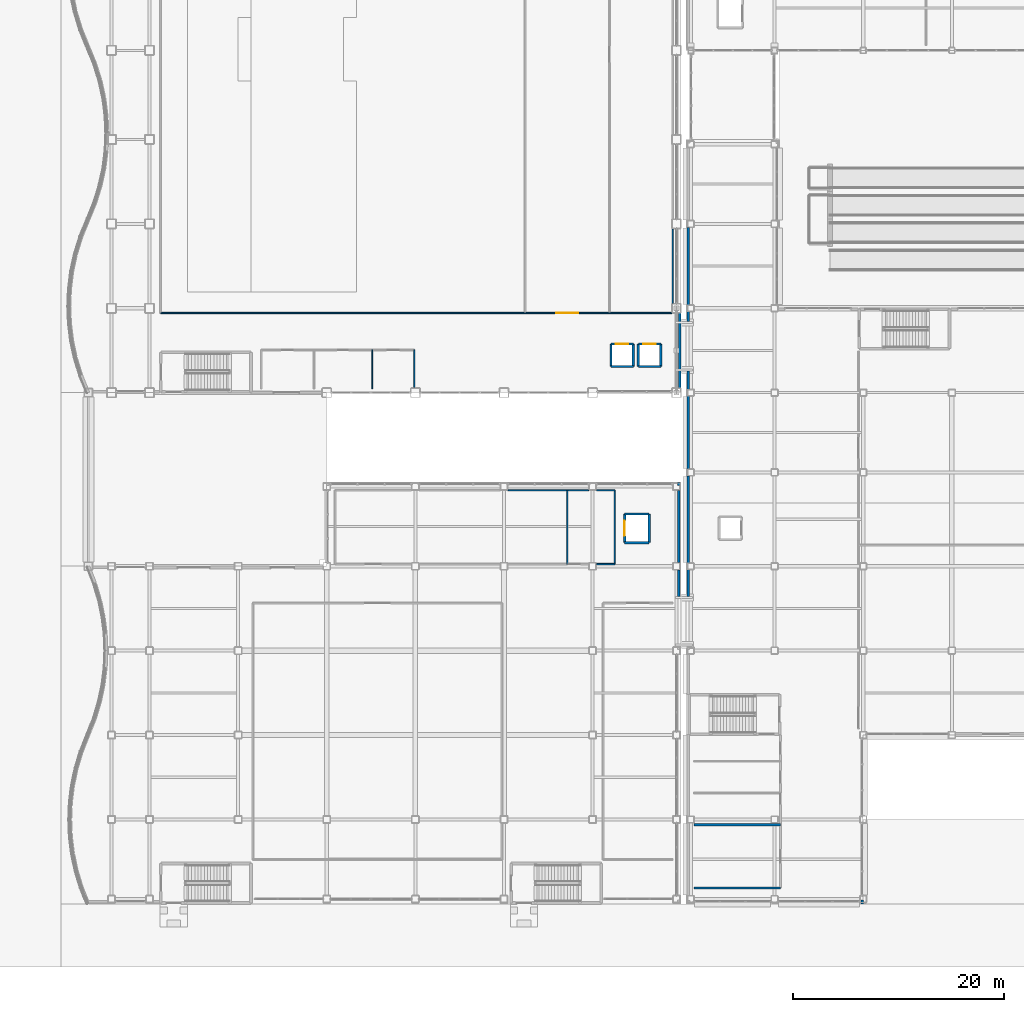
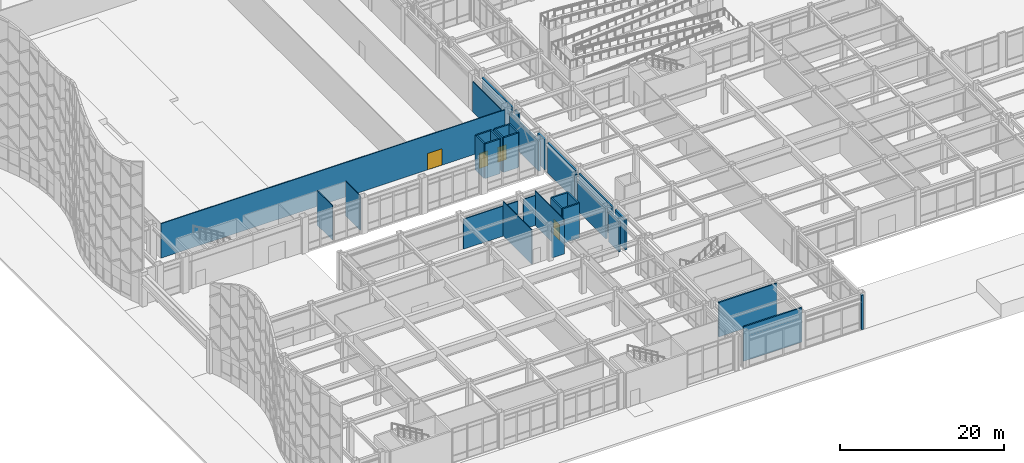
# One storey, part 127 of 165: 34 walls, 4 doors, 4 openings.
"""IFC4 building model written with IfcOpenShell, lengths in metres."""

from ifc_helpers import new_model, si_unit, direction, frame, frame_2d, origin, place, context, subcontext, project, spatial, rectangle, extrude, material, layer, layer_set, type_object, element, fill, save


model = new_model("IFC4")

# Units and contexts
model_context = context("Model", 3, precision=1e-05, world=origin(), true_north=direction((0.0, 1.0)))
body_context = subcontext(model_context, "Body", "Model", "MODEL_VIEW")
ifc_project = project(units=[si_unit("LENGTHUNIT", "METRE"), si_unit("AREAUNIT", "SQUARE_METRE"), si_unit("VOLUMEUNIT", "CUBIC_METRE"), si_unit("PLANEANGLEUNIT", "RADIAN"), si_unit("MASSUNIT", "GRAM", prefix="KILO")], contexts=[model_context])

# Site, building, storey
site_placement = place(None, origin())
site = spatial("IfcSite", under=ifc_project, at=site_placement, CompositionType="ELEMENT")
building_placement = place(site_placement, origin())
building = spatial("IfcBuilding", under=site, at=building_placement, Name="Kazehara Bluff Congress Hotel", CompositionType="ELEMENT")
storey_placement = place(building_placement, origin())
storey = spatial("IfcBuildingStorey", under=building, at=storey_placement, Name="L00", CompositionType="ELEMENT", Elevation=0.0)

# Walls
ifc_material_1 = material(Name="Precast concrete C40/50", Category="concrete")
ifc_layer_1 = layer(ifc_material_1, 0.239990234375)
ifc_layer_set_1 = layer_set([ifc_layer_1], Name="Precast concrete C40/50")
wall_type_1 = type_object("IfcWallType", Name="TP-EW-240", PredefinedType="SOLIDWALL", material=ifc_layer_set_1)
wall_1_placement = place(storey_placement, frame((58.669921875, 48.89990234375, 0.0), z_axis=(0.0, 0.0, 1.0), x_axis=(0.0, 1.0, 0.0)))
element("IfcWall", 1, at=wall_1_placement, inside=storey, type_object=wall_type_1, Name="L00 braced-bay recessed facade wall 3", PredefinedType="SOLIDWALL", context=body_context, shape_type="SweptSolid", body=[
    extrude(rectangle(XDim=7.10009765625, YDim=0.239990234375, at=frame_2d((3.550048828125, 0.0))), origin(), (0.0, 0.0, 1.0), 4.47509765625),
])
wall_2_placement = place(storey_placement, frame((58.580078125, 31.64990234375, 0.0), z_axis=(0.0, 0.0, 1.0), x_axis=(0.0, -1.0, 0.0)))
element("IfcWall", 2, at=wall_2_placement, inside=storey, type_object=wall_type_1, Name="L00 V2 perimeter spandrel pier 508", PredefinedType="SOLIDWALL", context=body_context, shape_type="SweptSolid", body=[
    extrude(rectangle(XDim=2.5, YDim=0.239990234375, at=frame_2d((1.25, 0.0))), origin(), (0.0, 0.0, 1.0), 4.47509765625),
])
wall_3_placement = place(storey_placement, frame((58.580078125, 39.199951171875, 0.0), z_axis=(0.0, 0.0, 1.0), x_axis=(0.0, -1.0, 0.0)))
element("IfcWall", 3, at=wall_3_placement, inside=storey, type_object=wall_type_1, Name="L00 V2 perimeter spandrel pier 509", PredefinedType="SOLIDWALL", context=body_context, shape_type="SweptSolid", body=[
    extrude(rectangle(XDim=6.849853515625, YDim=0.239990234375, at=frame_2d((3.4248046875, 0.0))), origin(), (0.0, 0.0, 1.0), 4.47509765625),
])
for number, where, z_axis, x_axis, name in (
    (4, (58.580078125, 40.0, 0.0), (0.0, 0.0, 1.0), (0.0, -1.0, 0.0), "L00 V2 perimeter spandrel pier 510"),
    (5, (75.949951171875, 0.360107421875, 0.0), (0.0, 0.0, 1.0), (0.0, -1.0, 0.0), "L00 V4 perimeter spandrel pier 526"),
):
    element("IfcWall", number, at=place(storey_placement, frame(where, z_axis=z_axis, x_axis=x_axis)), inside=storey, type_object=wall_type_1, Name=name, PredefinedType="SOLIDWALL", context=body_context, shape_type="SweptSolid", body=[
        extrude(rectangle(XDim=0.360107421875, YDim=0.239990234375, at=frame_2d((0.18017578125, 0.0))), origin(), (0.0, 0.0, 1.0), 5.135009765625),
    ])
wall_4_placement = place(storey_placement, frame((59.469970703125, 55.199951171875, 0.0), z_axis=(0.0, 0.0, 1.0), x_axis=(0.0, 1.0, 0.0)))
element("IfcWall", 6, at=wall_4_placement, inside=storey, type_object=wall_type_1, Name="L00 V4 perimeter spandrel pier 536", PredefinedType="SOLIDWALL", context=body_context, shape_type="SweptSolid", body=[
    extrude(rectangle(XDim=0.925048828125, YDim=0.239990234375, at=frame_2d((0.46240234375, 0.0))), origin(), (0.0, 0.0, 1.0), 4.47509765625),
])
wall_5_placement = place(storey_placement, frame((59.469970703125, 56.77490234375, 0.0), z_axis=(0.0, 0.0, 1.0), x_axis=(0.0, 1.0, 0.0)))
element("IfcWall", 7, at=wall_5_placement, inside=storey, type_object=wall_type_1, Name="L00 V4 perimeter spandrel pier 537", PredefinedType="SOLIDWALL", context=body_context, shape_type="SweptSolid", body=[
    extrude(rectangle(XDim=7.35009765625, YDim=0.239990234375, at=frame_2d((3.675048828125, 0.0))), origin(), (0.0, 0.0, 1.0), 4.47509765625),
])
wall_6_placement = place(storey_placement, frame((59.469970703125, 29.14990234375, 0.0), z_axis=(0.0, 0.0, 1.0), x_axis=(0.0, 1.0, 0.0)))
element("IfcWall", 8, at=wall_6_placement, inside=storey, type_object=wall_type_1, Name="L00 V4 perimeter spandrel pier 539", PredefinedType="SOLIDWALL", context=body_context, shape_type="SweptSolid", body=[
    extrude(rectangle(XDim=2.525146484375, YDim=0.239990234375, at=frame_2d((1.2626953125, 0.0))), origin(), (0.0, 0.0, 1.0), 4.47509765625),
])
wall_7_placement = place(storey_placement, frame((59.469970703125, 32.324951171875, 0.0), z_axis=(0.0, 0.0, 1.0), x_axis=(0.0, 1.0, 0.0)))
element("IfcWall", 9, at=wall_7_placement, inside=storey, type_object=wall_type_1, Name="L00 V4 perimeter spandrel pier 540", PredefinedType="SOLIDWALL", context=body_context, shape_type="SweptSolid", body=[
    extrude(rectangle(XDim=8.25, YDim=0.239990234375, at=frame_2d((4.125, 0.0))), origin(), (0.0, 0.0, 1.0), 4.47509765625),
])
wall_8_placement = place(storey_placement, frame((59.469970703125, 41.22509765625, 0.0), z_axis=(0.0, 0.0, 1.0), x_axis=(0.0, 1.0, 0.0)))
element("IfcWall", 10, at=wall_8_placement, inside=storey, type_object=wall_type_1, Name="L00 V4 perimeter spandrel pier 541", PredefinedType="SOLIDWALL", context=body_context, shape_type="SweptSolid", body=[
    extrude(rectangle(XDim=6.89990234375, YDim=0.239990234375, at=frame_2d((3.449951171875, 0.0))), origin(), (0.0, 0.0, 1.0), 4.47509765625),
])
wall_9_placement = place(storey_placement, frame((59.469970703125, 48.77490234375, 0.0), z_axis=(0.0, 0.0, 1.0), x_axis=(0.0, 1.0, 0.0)))
element("IfcWall", 11, at=wall_9_placement, inside=storey, type_object=wall_type_1, Name="L00 V4 perimeter spandrel pier 542", PredefinedType="SOLIDWALL", context=body_context, shape_type="SweptSolid", body=[
    extrude(rectangle(XDim=1.72509765625, YDim=0.239990234375, at=frame_2d((0.862548828125, 0.0))), origin(), (0.0, 0.0, 1.0), 4.47509765625),
])
ifc_material_2 = material(Name="Concrete C40/50", Category="concrete")
ifc_layer_2 = layer(ifc_material_2, 0.199951171875)
ifc_layer_set_2 = layer_set([ifc_layer_2], Name="Concrete C40/50")
wall_type_2 = type_object("IfcWallType", Name="TP-FW-RC", PredefinedType="SOLIDWALL", material=ifc_layer_set_2)
for number, where, z_axis, x_axis, name in (
    (12, (60.0, 1.5, 0.0), (0.0, 0.0, 1.0), (1.0, 0.0, 0.0), "L00 partition FW-RC 56"),
    (13, (60.0, 7.5, 0.0), (0.0, 0.0, 1.0), (1.0, 0.0, 0.0), "L00 partition FW-RC 60"),
):
    element("IfcWall", number, at=place(storey_placement, frame(where, z_axis=z_axis, x_axis=x_axis)), inside=storey, type_object=wall_type_2, Name=name, PredefinedType="SOLIDWALL", context=body_context, shape_type="SweptSolid", body=[
        extrude(rectangle(XDim=8.199951171875, YDim=0.199951171875, at=frame_2d((4.10009765625, 0.0))), origin(), (0.0, 0.0, 1.0), 5.135009765625),
    ])
ifc_material_3 = material(Name="Fire-rated gypsum board stud partition")
ifc_layer_3 = layer(ifc_material_3, 0.110107421875)
ifc_layer_set_3 = layer_set([ifc_layer_3], Name="Fire-rated gypsum board stud partition")
wall_type_3 = type_object("IfcWallType", Name="TP-PT-110", PredefinedType="PARTITIONING", material=ifc_layer_set_3)
wall_10_placement = place(storey_placement, frame((29.5, 48.800048828125, 0.0), z_axis=(0.0, 0.0, 1.0), x_axis=(0.0, 1.0, 0.0)))
element("IfcWall", 14, at=wall_10_placement, inside=storey, type_object=wall_type_3, Name="L00 partition PT-110 98", PredefinedType="PARTITIONING", context=body_context, shape_type="SweptSolid", body=[
    extrude(rectangle(XDim=3.699951171875, YDim=0.110107421875, at=frame_2d((1.85009765625, 0.0))), origin(), (0.0, 0.0, 1.0), 5.135009765625),
])
wall_11_placement = place(storey_placement, frame((33.5, 48.919921875, 0.0), z_axis=(0.0, 0.0, 1.0), x_axis=(0.0, 1.0, 0.0)))
element("IfcWall", 15, at=wall_11_placement, inside=storey, type_object=wall_type_3, Name="L00 partition PT-110 99", PredefinedType="PARTITIONING", context=body_context, shape_type="SweptSolid", body=[
    extrude(rectangle(XDim=3.580078125, YDim=0.110107421875, at=frame_2d((1.7900390625, 0.0))), origin(), (0.0, 0.0, 1.0), 5.135009765625),
])
wall_12_placement = place(storey_placement, frame((52.5, 32.199951171875, 0.0), z_axis=(0.0, 0.0, 1.0), x_axis=(0.0, 1.0, 0.0)))
element("IfcWall", 16, at=wall_12_placement, inside=storey, type_object=wall_type_3, Name="L00 partition PT-110 106", PredefinedType="PARTITIONING", context=body_context, shape_type="SweptSolid", body=[
    extrude(rectangle(XDim=7.0, YDim=0.110107421875, at=frame_2d((3.5, 0.0))), origin(), (0.0, 0.0, 1.0), 5.135009765625),
])
ifc_material_4 = material(Name="Fire-rated gypsum board stud partition")
ifc_layer_4 = layer(ifc_material_4, 0.1298828125)
ifc_layer_set_4 = layer_set([ifc_layer_4], Name="Fire-rated gypsum board stud partition")
wall_type_4 = type_object("IfcWallType", Name="TP-PT-130", PredefinedType="PARTITIONING", material=ifc_layer_set_4)
wall_13_placement = place(storey_placement, frame((50.77001953125, 32.199951171875, 0.0), z_axis=(0.0, 0.0, 1.0), x_axis=(1.0, 0.0, 0.0)))
element("IfcWall", 17, at=wall_13_placement, inside=storey, type_object=wall_type_4, Name="L00 partition PT-130 70", PredefinedType="PARTITIONING", context=body_context, shape_type="SweptSolid", body=[
    extrude(rectangle(XDim=1.72998046875, YDim=0.1298828125, at=frame_2d((0.864990234375, 0.0))), origin(), (0.0, 0.0, 1.0), 4.47509765625),
])
wall_14_placement = place(storey_placement, frame((42.3701171875, 39.199951171875, 0.0), z_axis=(0.0, 0.0, 1.0), x_axis=(1.0, 0.0, 0.0)))
element("IfcWall", 18, at=wall_14_placement, inside=storey, type_object=wall_type_4, Name="L00 partition PT-130 75", PredefinedType="PARTITIONING", context=body_context, shape_type="SweptSolid", body=[
    extrude(rectangle(XDim=7.659912109375, YDim=0.1298828125, at=frame_2d((3.830078125, 0.0))), origin(), (0.0, 0.0, 1.0), 4.47509765625),
])
wall_15_placement = place(storey_placement, frame((50.77001953125, 39.199951171875, 0.0), z_axis=(0.0, 0.0, 1.0), x_axis=(1.0, 0.0, 0.0)))
element("IfcWall", 19, at=wall_15_placement, inside=storey, type_object=wall_type_4, Name="L00 partition PT-130 76", PredefinedType="PARTITIONING", context=body_context, shape_type="SweptSolid", body=[
    extrude(rectangle(XDim=1.72998046875, YDim=0.1298828125, at=frame_2d((0.864990234375, 0.0))), origin(), (0.0, 0.0, 1.0), 4.47509765625),
])

# Wall, opening, door
wall_16_placement = place(storey_placement, frame((9.449951171875, 56.0, 0.0), z_axis=(0.0, 0.0, 1.0), x_axis=(1.0, 0.0, 0.0)))
wall_16 = element("IfcWall", 20, at=wall_16_placement, inside=storey, type_object=wall_type_4, Name="L00 partition PT-130 83", PredefinedType="PARTITIONING", context=body_context, shape_type="SweptSolid", body=[
    extrude(rectangle(XDim=48.429931640625, YDim=0.1298828125, at=frame_2d((24.21484375, 0.0))), origin(), (0.0, 0.0, 1.0), 5.135009765625),
])
opening_1_placement = place(wall_16_placement, frame((37.52490234375, 0.0, 0.0)))
opening_1 = element("IfcOpeningElement", 21, at=opening_1_placement, cuts=wall_16, Name="Opening AD-05", PredefinedType="OPENING", context=body_context, shape_type="SweptSolid", body=[
    extrude(rectangle(XDim=2.050048828125, YDim=2.449951171875, at=frame_2d((1.02490234375, 1.22509765625))), frame((0.0, 0.074951171875, 0.0), z_axis=(0.0, -1.0, 0.0), x_axis=(1.0, 0.0, 0.0)), (0.0, 0.0, 1.0), 0.14990234375),
])
ifc_material_5 = material(Name="Architectural oak veneer leaf")
door_type_1 = type_object("IfcDoorType", Name="TP-AD-05", OperationType="DOUBLE_DOOR_SINGLE_SWING", PredefinedType="DOOR", material=ifc_material_5)
door_1_placement = place(opening_1_placement, origin())
door_1 = element("IfcDoor", 22, at=door_1_placement, inside=storey, type_object=door_type_1, Name="L00 Congress Hall Stage door", OperationType="DOUBLE_DOOR_SINGLE_SWING", OverallHeight=2.449951171875, OverallWidth=2.050048828125, PredefinedType="DOOR", context=body_context, shape_type="SweptSolid", body=[
    extrude(rectangle(XDim=2.050048828125, YDim=2.449951171875, at=frame_2d((1.02490234375, 1.22509765625))), frame((0.0, 0.02490234375, 0.0), z_axis=(0.0, -1.0, 0.0), x_axis=(1.0, 0.0, 0.0)), (0.0, 0.0, 1.0), 0.050048828125),
])
fill(opening_1, door_1)

# Walls
wall_17_placement = place(storey_placement, frame((48.0, 32.199951171875, 0.0), z_axis=(0.0, 0.0, 1.0), x_axis=(0.0, 1.0, 0.0)))
element("IfcWall", 23, at=wall_17_placement, inside=storey, type_object=wall_type_4, Name="L00 partition PT-130 103", PredefinedType="PARTITIONING", context=body_context, shape_type="SweptSolid", body=[
    extrude(rectangle(XDim=7.0, YDim=0.1298828125, at=frame_2d((3.5, 0.0))), origin(), (0.0, 0.0, 1.0), 5.135009765625),
])
wall_18_placement = place(storey_placement, frame((58.0, 56.919921875, 0.0), z_axis=(0.0, 0.0, 1.0), x_axis=(0.0, 1.0, 0.0)))
element("IfcWall", 24, at=wall_18_placement, inside=storey, type_object=wall_type_4, Name="L00 partition PT-130 107", PredefinedType="PARTITIONING", context=body_context, shape_type="SweptSolid", body=[
    extrude(rectangle(XDim=7.06005859375, YDim=0.1298828125, at=frame_2d((3.530029296875, 0.0))), origin(), (0.0, 0.0, 1.0), 4.47509765625),
])

# Wall, opening, door
ifc_material_6 = material(Name="Concrete C40/50", Category="concrete")
ifc_layer_5 = layer(ifc_material_6, 0.219970703125)
ifc_layer_set_5 = layer_set([ifc_layer_5], Name="Concrete C40/50")
wall_type_5 = type_object("IfcWallType", Name="TP-SW-RC", PredefinedType="SHEAR", material=ifc_layer_set_5)
wall_19_placement = place(storey_placement, frame((52.139892578125, 53.06005859375, 0.0), z_axis=(0.0, 0.0, 1.0), x_axis=(1.0, 0.0, 0.0)))
wall_19 = element("IfcWall", 25, at=wall_19_placement, inside=storey, type_object=wall_type_5, Name="L00 EL-C1 lift shaft wall +Y", PredefinedType="SHEAR", context=body_context, shape_type="SweptSolid", body=[
    extrude(rectangle(XDim=2.1201171875, YDim=0.219970703125, at=frame_2d((1.06005859375, 0.0))), origin(), (0.0, 0.0, 1.0), 5.14990234375),
])
opening_2_placement = place(wall_19_placement, frame((0.4599609375, 0.0, 0.0)))
opening_2 = element("IfcOpeningElement", 26, at=opening_2_placement, cuts=wall_19, Name="Opening LD-02", PredefinedType="OPENING", context=body_context, shape_type="SweptSolid", body=[
    extrude(rectangle(XDim=1.199951171875, YDim=2.25, at=frame_2d((0.60009765625, 1.125))), frame((0.0, 0.119873046875, 0.0), z_axis=(0.0, -1.0, 0.0), x_axis=(1.0, 0.0, 0.0)), (0.0, 0.0, 1.0), 0.239990234375),
])
ifc_material_7 = material(Name="Fire-rated painted steel leaf", Category="steel")
door_type_2 = type_object("IfcDoorType", Name="TP-LD-02", OperationType="SLIDING_TO_LEFT", PredefinedType="DOOR", material=ifc_material_7)
door_2_placement = place(opening_2_placement, origin())
door_2 = element("IfcDoor", 27, at=door_2_placement, inside=storey, type_object=door_type_2, Name="L00 EL-C1 elevator landing door", OperationType="SLIDING_TO_LEFT", OverallHeight=2.25, OverallWidth=1.199951171875, PredefinedType="DOOR", context=body_context, shape_type="SweptSolid", body=[
    extrude(rectangle(XDim=1.199951171875, YDim=2.25, at=frame_2d((0.60009765625, 1.125))), frame((0.0, 0.02490234375, 0.0), z_axis=(0.0, -1.0, 0.0), x_axis=(1.0, 0.0, 0.0)), (0.0, 0.0, 1.0), 0.050048828125),
])
fill(opening_2, door_2)

# Walls
for number, where, z_axis, x_axis, name in (
    (28, (52.139892578125, 50.93994140625, 0.0), (0.0, 0.0, 1.0), (1.0, 0.0, 0.0), "L00 EL-C1 lift shaft wall -Y"),
    (29, (54.260009765625, 50.93994140625, 0.0), (0.0, 0.0, 1.0), (0.0, 1.0, 0.0), "L00 EL-C1 lift shaft wall +X"),
    (30, (52.139892578125, 50.93994140625, 0.0), (0.0, 0.0, 1.0), (0.0, 1.0, 0.0), "L00 EL-C1 lift shaft wall -X"),
):
    element("IfcWall", number, at=place(storey_placement, frame(where, z_axis=z_axis, x_axis=x_axis)), inside=storey, type_object=wall_type_5, Name=name, PredefinedType="SHEAR", context=body_context, shape_type="SweptSolid", body=[
        extrude(rectangle(XDim=2.1201171875, YDim=0.219970703125, at=frame_2d((1.06005859375, 0.0))), origin(), (0.0, 0.0, 1.0), 5.14990234375),
    ])

# Wall, opening, door
wall_20_placement = place(storey_placement, frame((54.739990234375, 53.06005859375, 0.0), z_axis=(0.0, 0.0, 1.0), x_axis=(1.0, 0.0, 0.0)))
wall_20 = element("IfcWall", 31, at=wall_20_placement, inside=storey, type_object=wall_type_5, Name="L00 EL-C2 lift shaft wall +Y", PredefinedType="SHEAR", context=body_context, shape_type="SweptSolid", body=[
    extrude(rectangle(XDim=2.1201171875, YDim=0.219970703125, at=frame_2d((1.06005859375, 0.0))), origin(), (0.0, 0.0, 1.0), 5.14990234375),
])
opening_3_placement = place(wall_20_placement, frame((0.4599609375, 0.0, 0.0)))
opening_3 = element("IfcOpeningElement", 32, at=opening_3_placement, cuts=wall_20, Name="Opening LD-02", PredefinedType="OPENING", context=body_context, shape_type="SweptSolid", body=[
    extrude(rectangle(XDim=1.199951171875, YDim=2.25, at=frame_2d((0.60009765625, 1.125))), frame((0.0, 0.119873046875, 0.0), z_axis=(0.0, -1.0, 0.0), x_axis=(1.0, 0.0, 0.0)), (0.0, 0.0, 1.0), 0.239990234375),
])
door_3_placement = place(opening_3_placement, origin())
door_3 = element("IfcDoor", 33, at=door_3_placement, inside=storey, type_object=door_type_2, Name="L00 EL-C2 elevator landing door", OperationType="SLIDING_TO_LEFT", OverallHeight=2.25, OverallWidth=1.199951171875, PredefinedType="DOOR", context=body_context, shape_type="SweptSolid", body=[
    extrude(rectangle(XDim=1.199951171875, YDim=2.25, at=frame_2d((0.60009765625, 1.125))), frame((0.0, 0.02490234375, 0.0), z_axis=(0.0, -1.0, 0.0), x_axis=(1.0, 0.0, 0.0)), (0.0, 0.0, 1.0), 0.050048828125),
])
fill(opening_3, door_3)

# Walls
for number, where, z_axis, x_axis, name in (
    (34, (54.739990234375, 50.93994140625, 0.0), (0.0, 0.0, 1.0), (1.0, 0.0, 0.0), "L00 EL-C2 lift shaft wall -Y"),
    (35, (56.860107421875, 50.93994140625, 0.0), (0.0, 0.0, 1.0), (0.0, 1.0, 0.0), "L00 EL-C2 lift shaft wall +X"),
    (36, (54.739990234375, 50.93994140625, 0.0), (0.0, 0.0, 1.0), (0.0, 1.0, 0.0), "L00 EL-C2 lift shaft wall -X"),
):
    element("IfcWall", number, at=place(storey_placement, frame(where, z_axis=z_axis, x_axis=x_axis)), inside=storey, type_object=wall_type_5, Name=name, PredefinedType="SHEAR", context=body_context, shape_type="SweptSolid", body=[
        extrude(rectangle(XDim=2.1201171875, YDim=0.219970703125, at=frame_2d((1.06005859375, 0.0))), origin(), (0.0, 0.0, 1.0), 5.14990234375),
    ])
for number, where, z_axis, x_axis, name in (
    (37, (53.43994140625, 36.9599609375, 0.0), (0.0, 0.0, 1.0), (1.0, 0.0, 0.0), "L00 EL-S1 lift shaft wall +Y"),
    (38, (53.43994140625, 34.239990234375, 0.0), (0.0, 0.0, 1.0), (1.0, 0.0, 0.0), "L00 EL-S1 lift shaft wall -Y"),
):
    element("IfcWall", number, at=place(storey_placement, frame(where, z_axis=z_axis, x_axis=x_axis)), inside=storey, type_object=wall_type_5, Name=name, PredefinedType="SHEAR", context=body_context, shape_type="SweptSolid", body=[
        extrude(rectangle(XDim=2.320068359375, YDim=0.219970703125, at=frame_2d((1.16015625, 0.0))), origin(), (0.0, 0.0, 1.0), 5.14990234375),
    ])
wall_21_placement = place(storey_placement, frame((55.760009765625, 34.239990234375, 0.0), z_axis=(0.0, 0.0, 1.0), x_axis=(0.0, 1.0, 0.0)))
element("IfcWall", 39, at=wall_21_placement, inside=storey, type_object=wall_type_5, Name="L00 EL-S1 lift shaft wall +X", PredefinedType="SHEAR", context=body_context, shape_type="SweptSolid", body=[
    extrude(rectangle(XDim=2.719970703125, YDim=0.219970703125, at=frame_2d((1.35986328125, 0.0))), origin(), (0.0, 0.0, 1.0), 5.14990234375),
])

# Wall, opening, door
wall_22_placement = place(storey_placement, frame((53.43994140625, 34.239990234375, 0.0), z_axis=(0.0, 0.0, 1.0), x_axis=(0.0, 1.0, 0.0)))
wall_22 = element("IfcWall", 40, at=wall_22_placement, inside=storey, type_object=wall_type_5, Name="L00 EL-S1 lift shaft wall -X", PredefinedType="SHEAR", context=body_context, shape_type="SweptSolid", body=[
    extrude(rectangle(XDim=2.719970703125, YDim=0.219970703125, at=frame_2d((1.35986328125, 0.0))), origin(), (0.0, 0.0, 1.0), 5.14990234375),
])
opening_4_placement = place(wall_22_placement, frame((0.635009765625, 0.0, 0.0)))
opening_4 = element("IfcOpeningElement", 41, at=opening_4_placement, cuts=wall_22, Name="Opening LD-04", PredefinedType="OPENING", context=body_context, shape_type="SweptSolid", body=[
    extrude(rectangle(XDim=1.449951171875, YDim=2.35009765625, at=frame_2d((0.72509765625, 1.175048828125))), frame((0.0, 0.119873046875, 0.0), z_axis=(0.0, -1.0, 0.0), x_axis=(1.0, 0.0, 0.0)), (0.0, 0.0, 1.0), 0.239990234375),
])
ifc_material_8 = material(Name="Fire-rated painted steel leaf", Category="steel")
door_type_3 = type_object("IfcDoorType", Name="TP-LD-04", OperationType="SLIDING_TO_LEFT", PredefinedType="DOOR", material=ifc_material_8)
door_4_placement = place(opening_4_placement, origin())
door_4 = element("IfcDoor", 42, at=door_4_placement, inside=storey, type_object=door_type_3, Name="L00 EL-S1 elevator landing door", OperationType="SLIDING_TO_LEFT", OverallHeight=2.35009765625, OverallWidth=1.449951171875, PredefinedType="DOOR", context=body_context, shape_type="SweptSolid", body=[
    extrude(rectangle(XDim=1.449951171875, YDim=2.35009765625, at=frame_2d((0.72509765625, 1.175048828125))), frame((0.0, 0.02490234375, 0.0), z_axis=(0.0, -1.0, 0.0), x_axis=(1.0, 0.0, 0.0)), (0.0, 0.0, 1.0), 0.050048828125),
])
fill(opening_4, door_4)

save(model, "model.ifc")
